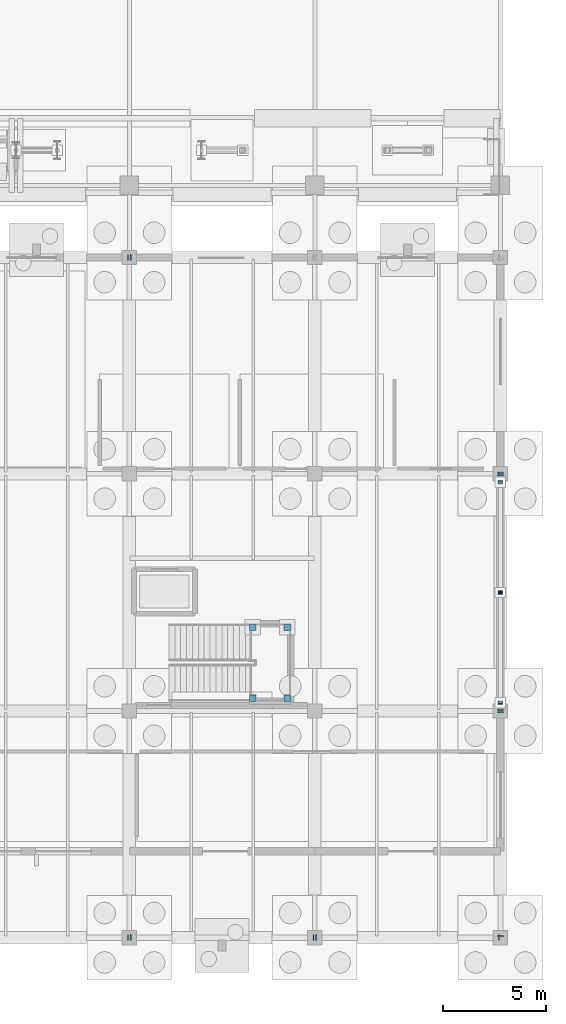
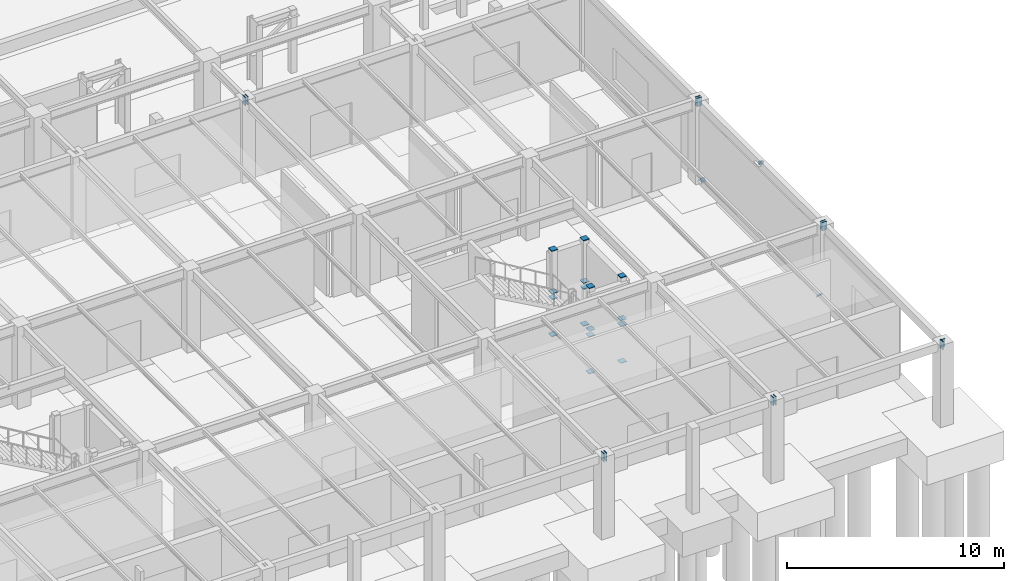
# One storey, part 139 of 160: 32 discrete accessories.
"""IFC4 building model written with IfcOpenShell, lengths in metres."""

import ifcopenshell
import ifcopenshell.guid

model = None  # the IFC model being written
_history = None  # IfcOwnerHistory: only IFC2X3 demands one
_inside = {}  # id of a spatial element -> (the spatial element, [elements in it])
_under = {}  # id of a project, library or spatial element -> (it, [spatial elements below it])
_declared = {}  # id of a project -> (the project, [libraries it declares])
_typed = {}  # id of a type object -> (the type object, [elements of that type])
_made_of = {}  # id of a material, layer set ... -> (it, [elements and type objects made of it])


def new_model(schema):
    """Start an empty IFC model of exactly this schema.

    Asked for "IFC4X3", IfcOpenShell would pick the latest addendum, in which some entities
    have other attributes; the version numbers below select the first issue.
    IFC2X3 requires an IfcOwnerHistory on every rooted entity: one is made here for all.
    """
    global model, _history
    if schema == "IFC4X3":
        model = ifcopenshell.file(schema_version=(4, 3, 0, 0))
    else:
        model = ifcopenshell.file(schema=schema)
    _inside.clear()
    _under.clear()
    _declared.clear()
    _typed.clear()
    _made_of.clear()
    _history = None
    if model.schema == "IFC2X3":
        org = make("IfcOrganization", Name="unknown")
        user = make(
            "IfcPersonAndOrganization",
            ThePerson=make("IfcPerson", FamilyName="unknown"),
            TheOrganization=org,
        )
        app = make(
            "IfcApplication",
            ApplicationDeveloper=org,
            Version="unknown",
            ApplicationFullName="unknown",
            ApplicationIdentifier="unknown",
        )
        _history = make(
            "IfcOwnerHistory",
            OwningUser=user,
            OwningApplication=app,
            ChangeAction="ADDED",
            CreationDate=0,
        )
    return model


def make(cls, **values):
    """One entity of the class cls with the attributes given. An attribute that is None is left unset."""
    return model.create_entity(
        cls, **{name: value for name, value in values.items() if value is not None}
    )


def rooted(cls, **values):
    """An entity with a GlobalId (a new one), such as an element, a storey or a relation."""
    return make(cls, GlobalId=ifcopenshell.guid.new(), OwnerHistory=_history, **values)


def si_unit(unit_type, name, prefix=None):
    """IfcSIUnit, for example si_unit("LENGTHUNIT", "METRE", prefix="MILLI")."""
    return make("IfcSIUnit", UnitType=unit_type, Prefix=prefix, Name=name)


def assignment(units):
    """IfcUnitAssignment: the units of a project."""
    return None if units is None else make("IfcUnitAssignment", Units=units)


def point(xyz):
    """IfcCartesianPoint."""
    return None if xyz is None else make("IfcCartesianPoint", Coordinates=xyz)


def direction(xyz):
    """IfcDirection."""
    return None if xyz is None else make("IfcDirection", DirectionRatios=xyz)


def frame(location, z_axis=None, x_axis=None):
    """IfcAxis2Placement3D, a coordinate frame: its origin and axes. An axis left out is left unset."""
    return make(
        "IfcAxis2Placement3D",
        Location=point(location),
        Axis=direction(z_axis),
        RefDirection=direction(x_axis),
    )


def frame_2d(location, x_axis=None):
    """IfcAxis2Placement2D, a coordinate frame in the plane: its origin and x axis."""
    return make(
        "IfcAxis2Placement2D", Location=point(location), RefDirection=direction(x_axis)
    )


def origin():
    """The frame at (0, 0, 0) with its axes left unset."""
    return frame((0.0, 0.0, 0.0))


def origin_2d():
    """The frame at (0, 0) in the plane with its x axis left unset."""
    return frame_2d((0.0, 0.0))


def place(relative_to, where):
    """IfcLocalPlacement: puts the frame where relative to a parent placement (None: the world)."""
    return make(
        "IfcLocalPlacement", PlacementRelTo=relative_to, RelativePlacement=where
    )


def context(
    kind, dimensions, precision=None, world=None, true_north=None, identifier=None
):
    """IfcGeometricRepresentationContext, for example the 3D "Model" context."""
    return make(
        "IfcGeometricRepresentationContext",
        ContextIdentifier=identifier,
        ContextType=kind,
        CoordinateSpaceDimension=dimensions,
        Precision=precision,
        WorldCoordinateSystem=world,
        TrueNorth=true_north,
    )


def subcontext(parent, identifier, kind, view, scale=None):
    """IfcGeometricRepresentationSubContext, for example "Body" below "Model"."""
    return make(
        "IfcGeometricRepresentationSubContext",
        ContextIdentifier=identifier,
        ContextType=kind,
        ParentContext=parent,
        TargetScale=scale,
        TargetView=view,
    )


def project(units=None, contexts=None):
    """IfcProject with its units and contexts."""
    return rooted(
        "IfcProject",
        Name="project",
        RepresentationContexts=contexts,
        UnitsInContext=assignment(units),
    )


def spatial(cls, under=None, at=None, **own):
    """A site, building, storey or space (cls), placed at a placement, below another one or the project."""
    s = rooted(cls, ObjectPlacement=at, **own)
    if under is not None:
        _under.setdefault(under.id(), (under, []))[1].append(s)
    return s


def profile(cls, at=None, kind="AREA", **sizes):
    """A parametric profile (cls). Its sizes go by their IFC names, for example OverallWidth=200.0."""
    return make(cls, ProfileType=kind, Position=at, **sizes)


def rectangle(**sizes):
    """IfcRectangleProfileDef."""
    return profile("IfcRectangleProfileDef", **sizes)


def extrude(swept, where, along, depth):
    """IfcExtrudedAreaSolid: the profile swept, set in the frame where, extruded along a direction by depth."""
    return make(
        "IfcExtrudedAreaSolid",
        SweptArea=swept,
        Position=where,
        ExtrudedDirection=direction(along),
        Depth=depth,
    )


def shape(context_of_items, identifier, shape_type, items):
    """IfcShapeRepresentation: the items that make up one representation, for example the "Body"."""
    return make(
        "IfcShapeRepresentation",
        ContextOfItems=context_of_items,
        RepresentationIdentifier=identifier,
        RepresentationType=shape_type,
        Items=items,
    )


def material(Name=None, Category=None):
    """IfcMaterial."""
    return make("IfcMaterial", Name=Name, Category=Category)


def made_of(thing, what):
    """Note that an element or type object is made of a material, layer set ...; save() writes the relation."""
    if what is not None:
        _made_of.setdefault(what.id(), (what, []))[1].append(thing)
    return thing


def element(
    cls,
    number,
    at=None,
    inside=None,
    cuts=None,
    type_object=None,
    material=None,
    context=None,
    identifier="Body",
    shape_type=None,
    held_by="IfcProductDefinitionShape",
    body=None,
    shapes=None,
    **own,
):
    """One element of the class cls, such as IfcWall. Its Tag is "e" and its number.

    at: its placement. inside: the storey or other place that contains it. cuts: it is an
    opening in that element (IfcRelVoidsElement). A single representation is given by context,
    identifier, shape_type and body (its items); several are given by shapes. held_by: the class
    of the entity that holds the representations. save() writes the other relations.
    """
    e = rooted(cls, Tag="e%d" % number, ObjectPlacement=at, **own)
    if body is not None:
        shapes = [shape(context, identifier, shape_type, body)]
    if shapes is not None:
        e.Representation = make(held_by, Representations=shapes)
    if inside is not None:
        _inside.setdefault(inside.id(), (inside, []))[1].append(e)
    if cuts is not None:
        rooted(
            "IfcRelVoidsElement", RelatingBuildingElement=cuts, RelatedOpeningElement=e
        )
    if type_object is not None:
        _typed.setdefault(type_object.id(), (type_object, []))[1].append(e)
    return made_of(e, material)


def aggregate(whole, parts):
    """IfcRelAggregates: a whole, such as a stair, and the parts it consists of."""
    return rooted("IfcRelAggregates", RelatingObject=whole, RelatedObjects=parts)


def save(model, path):
    """Write the relations noted so far, then the file.

    IfcRelAggregates (storeys below a building ...), IfcRelContainedInSpatialStructure (elements
    in a storey), IfcRelDefinesByType, IfcRelAssociatesMaterial and IfcRelDeclares: one each for
    every whole, place, type object, material and project.
    """
    for whole, parts in _under.values():
        aggregate(whole, parts)
    for where, things in _inside.values():
        rooted(
            "IfcRelContainedInSpatialStructure",
            RelatedElements=things,
            RelatingStructure=where,
        )
    for kind, things in _typed.values():
        rooted("IfcRelDefinesByType", RelatedObjects=things, RelatingType=kind)
    for what, things in _made_of.values():
        rooted("IfcRelAssociatesMaterial", RelatedObjects=things, RelatingMaterial=what)
    for by, libraries in _declared.values():
        rooted("IfcRelDeclares", RelatingContext=by, RelatedDefinitions=libraries)
    model.write(path)


model = new_model("IFC4")

# Units and contexts
model_context = context("Model", 3, precision=1e-05, world=origin(), true_north=direction((0.0, 1.0)))
body_context = subcontext(model_context, "Body", "Model", "MODEL_VIEW")
ifc_project = project(units=[si_unit("LENGTHUNIT", "METRE"), si_unit("AREAUNIT", "SQUARE_METRE"), si_unit("VOLUMEUNIT", "CUBIC_METRE"), si_unit("PLANEANGLEUNIT", "RADIAN"), si_unit("MASSUNIT", "GRAM", prefix="KILO")], contexts=[model_context])

# Site, building, storey
site_placement = place(None, origin())
site = spatial("IfcSite", under=ifc_project, at=site_placement, CompositionType="ELEMENT")
building_placement = place(site_placement, origin())
building = spatial("IfcBuilding", under=site, at=building_placement, Name="Marlcrest Central Station", CompositionType="ELEMENT")
storey_placement = place(building_placement, origin())
storey = spatial("IfcBuildingStorey", under=building, at=storey_placement, Name="L00", CompositionType="ELEMENT", Elevation=0.0)

# Discrete accessories
ifc_material = material(Name="Steel S355", Category="steel")
for number, where, z_axis, x_axis, name in (
    (1, (197.9150390625, 0.0, 4.3798828125), (1.0, 0.0, 0.0), (0.0, 1.0, 0.0), "endcap-bm-SP-02-L00-00755-e"),
    (2, (198.045166015625, 0.0, 4.3798828125), (1.0, 0.0, 0.0), (0.0, 1.0, 0.0), "endcap-bm-SP-02-L00-00756-s"),
    (3, (206.9150390625, 0.0, 4.3798828125), (1.0, 0.0, 0.0), (0.0, 1.0, 0.0), "endcap-bm-SP-02-L00-00756-e"),
    (4, (207.045166015625, 0.0, 4.3798828125), (1.0, 0.0, 0.0), (0.0, 1.0, 0.0), "endcap-bm-SP-02-L00-00757-s"),
    (5, (215.9150390625, 0.0, 4.3798828125), (1.0, 0.0, 0.0), (0.0, 1.0, 0.0), "endcap-bm-SP-02-L00-00757-e"),
    (6, (197.9150390625, 33.0, 4.3798828125), (1.0, 0.0, 0.0), (0.0, 1.0, 0.0), "endcap-bm-SP-02-L00-00779-e"),
    (7, (198.045166015625, 33.0, 4.3798828125), (1.0, 0.0, 0.0), (0.0, 1.0, 0.0), "endcap-bm-SP-02-L00-00780-s"),
    (8, (216.0, 0.045166015625, 4.3798828125), (0.0, 1.0, 0.0), (-1.0, 0.0, 0.0), "endcap-bm-SP-02-L00-00806-s"),
    (9, (216.0, 10.9150390625, 4.3798828125), (0.0, 1.0, 0.0), (-1.0, 0.0, 0.0), "endcap-bm-SP-02-L00-00806-e"),
    (10, (216.0, 11.045166015625, 4.3798828125), (0.0, 1.0, 0.0), (-1.0, 0.0, 0.0), "endcap-bm-SP-02-L00-00807-s"),
    (11, (216.0, 22.4150390625, 4.3798828125), (0.0, 1.0, 0.0), (-1.0, 0.0, 0.0), "endcap-bm-SP-02-L00-00807-e"),
    (12, (216.0, 22.545166015625, 4.3798828125), (0.0, 1.0, 0.0), (-1.0, 0.0, 0.0), "endcap-bm-SP-02-L00-00808-s"),
):
    element("IfcDiscreteAccessory", number, at=place(storey_placement, frame(where, z_axis=z_axis, x_axis=x_axis)), inside=storey, material=ifc_material, Name=name, ObjectType="END_CAP_PLATE", PredefinedType="BRACKET", context=body_context, shape_type="SweptSolid", body=[
        extrude(rectangle(XDim=0.26611328125, YDim=0.466064453125, at=origin_2d()), origin(), (0.0, 0.0, 1.0), 0.0400390625),
    ])
for number, where, z_axis, x_axis, name in (
    (13, (216.0, 11.38818359375, 0.190673828125), (0.0, 0.786216241749, 0.617951471565), (-1.0, 0.0, 0.0), "endcap-mem-BF-01-L00-00013-s"),
    (14, (216.0, 16.730224609375, 4.3896484375), (0.0, 0.786216241749, 0.617951471565), (-1.0, 0.0, 0.0), "endcap-mem-BF-01-L00-00013-e"),
    (15, (216.0, 22.11181640625, 0.190673828125), (0.0, -0.786216241749, 0.617951471565), (1.0, 0.0, 0.0), "endcap-mem-BF-01-L00-00014-s"),
    (16, (216.0, 16.769775390625, 4.3896484375), (0.0, -0.786216241749, 0.617951471565), (1.0, 0.0, 0.0), "endcap-mem-BF-01-L00-00014-e"),
):
    element("IfcDiscreteAccessory", number, at=place(storey_placement, frame(where, z_axis=z_axis, x_axis=x_axis)), inside=storey, material=ifc_material, Name=name, ObjectType="END_CAP_PLATE", PredefinedType="BRACKET", context=body_context, shape_type="SweptSolid", body=[
        extrude(rectangle(XDim=0.216064453125, YDim=0.216064453125, at=origin_2d()), origin(), (0.0, 0.0, 1.0), 0.0400390625),
    ])
for number, where, z_axis, x_axis, name in (
    (17, (203.989990234375, 11.6298828125, -0.014892578125), (0.0, 0.0, 1.0), (1.0, 0.0, 0.0), "endcap-htcol-lo-0038-0-s"),
    (18, (203.989990234375, 11.6298828125, 2.05517578125), (0.0, 0.0, 1.0), (1.0, 0.0, 0.0), "endcap-htcol-lo-0038-0-e"),
    (19, (203.989990234375, 11.6298828125, 2.385009765625), (0.0, 0.0, 1.0), (1.0, 0.0, 0.0), "endcap-htcol-hi-0038-0-s"),
    (20, (203.989990234375, 11.6298828125, 4.775146484375), (0.0, 0.0, 1.0), (1.0, 0.0, 0.0), "endcap-htcol-hi-0038-0-e"),
    (21, (205.669921875, 11.6298828125, -0.014892578125), (0.0, 0.0, 1.0), (1.0, 0.0, 0.0), "endcap-htcol-lo-0038-1-s"),
    (22, (205.669921875, 11.6298828125, 2.05517578125), (0.0, 0.0, 1.0), (1.0, 0.0, 0.0), "endcap-htcol-lo-0038-1-e"),
    (23, (205.669921875, 11.6298828125, 2.385009765625), (0.0, 0.0, 1.0), (1.0, 0.0, 0.0), "endcap-htcol-hi-0038-1-s"),
    (24, (205.669921875, 11.6298828125, 4.775146484375), (0.0, 0.0, 1.0), (1.0, 0.0, 0.0), "endcap-htcol-hi-0038-1-e"),
    (25, (205.669921875, 15.070068359375, -0.014892578125), (0.0, 0.0, 1.0), (1.0, 0.0, 0.0), "endcap-htcol-lo-0038-2-s"),
    (26, (205.669921875, 15.070068359375, 2.05517578125), (0.0, 0.0, 1.0), (1.0, 0.0, 0.0), "endcap-htcol-lo-0038-2-e"),
    (27, (205.669921875, 15.070068359375, 2.385009765625), (0.0, 0.0, 1.0), (1.0, 0.0, 0.0), "endcap-htcol-hi-0038-2-s"),
    (28, (205.669921875, 15.070068359375, 4.775146484375), (0.0, 0.0, 1.0), (1.0, 0.0, 0.0), "endcap-htcol-hi-0038-2-e"),
    (29, (203.989990234375, 15.070068359375, -0.014892578125), (0.0, 0.0, 1.0), (1.0, 0.0, 0.0), "endcap-htcol-lo-0038-3-s"),
    (30, (203.989990234375, 15.070068359375, 2.05517578125), (0.0, 0.0, 1.0), (1.0, 0.0, 0.0), "endcap-htcol-lo-0038-3-e"),
    (31, (203.989990234375, 15.070068359375, 2.385009765625), (0.0, 0.0, 1.0), (1.0, 0.0, 0.0), "endcap-htcol-hi-0038-3-s"),
    (32, (203.989990234375, 15.070068359375, 4.775146484375), (0.0, 0.0, 1.0), (1.0, 0.0, 0.0), "endcap-htcol-hi-0038-3-e"),
):
    element("IfcDiscreteAccessory", number, at=place(storey_placement, frame(where, z_axis=z_axis, x_axis=x_axis)), inside=storey, material=ifc_material, Name=name, ObjectType="END_CAP_PLATE", PredefinedType="BRACKET", context=body_context, shape_type="SweptSolid", body=[
        extrude(rectangle(XDim=0.31591796875, YDim=0.31591796875, at=origin_2d()), origin(), (0.0, 0.0, 1.0), 0.0400390625),
    ])

save(model, "model.ifc")
